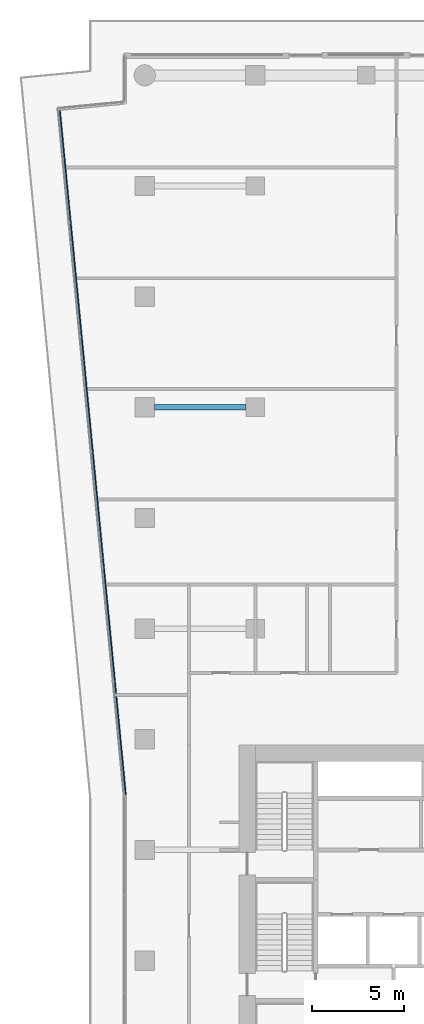
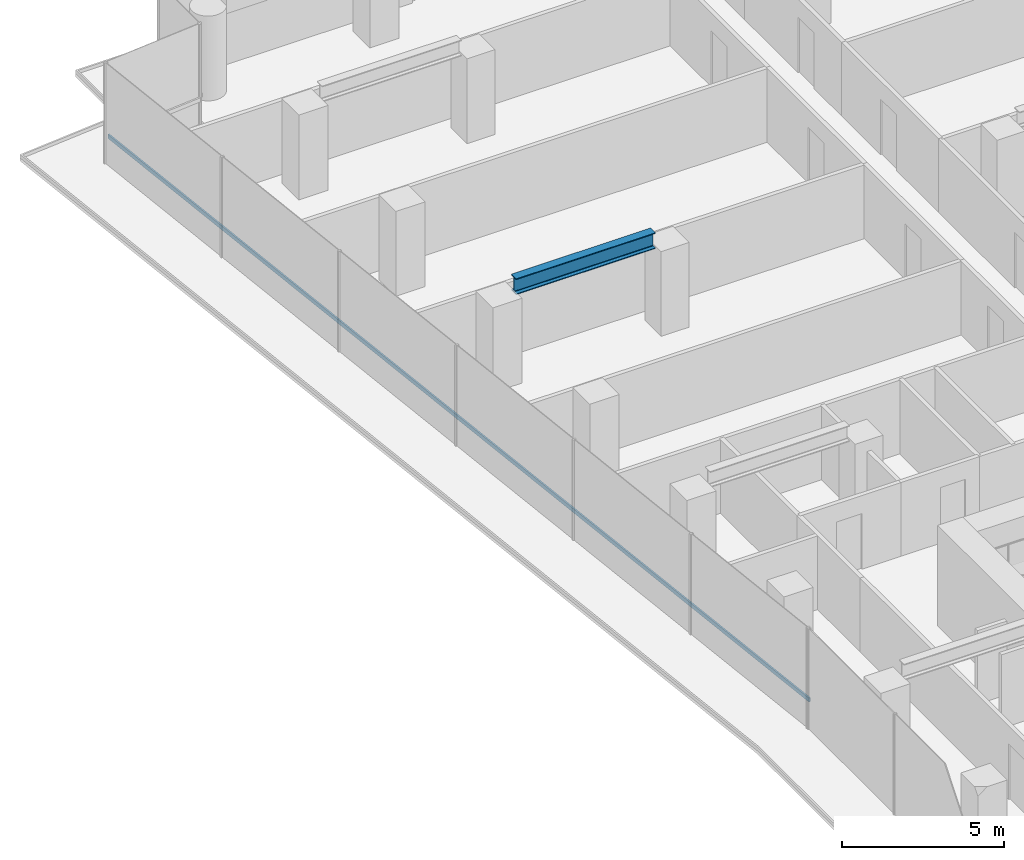
# One storey, part 14 of 30: 1 beam, 1 member, 1 element without a shape of its own.
"""IFC4 building model written with IfcOpenShell, lengths in metres."""

from ifc_helpers import new_model, si_unit, direction, frame, origin, origin_2d, place, context, subcontext, project, spatial, rectangle, i_section, extrude, material, layer, layer_set, material_profile, profile_set, type_object, element, aggregate, save


model = new_model("IFC4")

# Units and contexts
model_context = context("Model", 3, precision=1e-05, world=origin(), true_north=direction((0.0, 1.0)))
body_context = subcontext(model_context, "Body", "Model", "MODEL_VIEW")
ifc_project = project(units=[si_unit("LENGTHUNIT", "METRE"), si_unit("AREAUNIT", "SQUARE_METRE"), si_unit("VOLUMEUNIT", "CUBIC_METRE"), si_unit("PLANEANGLEUNIT", "RADIAN"), si_unit("MASSUNIT", "GRAM", prefix="KILO")], contexts=[model_context])

# Site, building, storey
site_placement = place(None, origin())
site = spatial("IfcSite", under=ifc_project, at=site_placement, CompositionType="ELEMENT")
building_placement = place(site_placement, origin())
building = spatial("IfcBuilding", under=site, at=building_placement, Name="Welwitschia Terrace Campus", CompositionType="ELEMENT")
storey_placement = place(building_placement, frame((0.0, 0.0, 75.199951171875)))
storey = spatial("IfcBuildingStorey", under=building, at=storey_placement, Name="L17", CompositionType="ELEMENT", Elevation=75.199951171875)

# Beam
ifc_material_1 = material(Name="Steel S355", Category="steel")
ifc_material_profile_1 = material_profile(ifc_material_1, i_section(OverallWidth=0.300048828125, OverallDepth=0.60009765625, WebThickness=0.015380859375, FlangeThickness=0.030029296875, FilletRadius=0.027099609375, at=origin_2d()))
ifc_profile_set_1 = profile_set([ifc_material_profile_1], Name="Steel S355")
beam_type = type_object("IfcBeamType", Name="Primary beam HE 600 B", PredefinedType="BEAM", material=ifc_profile_set_1)
beam_placement = place(storey_placement, frame((0.525390625, 44.0, 3.400146484375), z_axis=(1.0, 0.0, 0.0), x_axis=(0.0, 1.0, 0.0)))
element("IfcBeam", 1, at=beam_placement, inside=storey, type_object=beam_type, Name="Primary beam PB2", PredefinedType="BEAM", context=body_context, shape_type="SweptSolid", body=[
    extrude(i_section(OverallWidth=0.300048828125, OverallDepth=0.60009765625, WebThickness=0.015380859375, FlangeThickness=0.030029296875, FilletRadius=0.027099609375, at=origin_2d()), origin(), (0.0, 0.0, 1.0), 4.97412109375),
])

# Curtain wall, member
ifc_material_2 = material(Name="Bronze anodised aluminium", Category="aluminium")
ifc_layer = layer(ifc_material_2, 0.1201171875)
ifc_layer_set = layer_set([ifc_layer], Name="Bronze anodised aluminium")
curtain_wall_type = type_object("IfcCurtainWallType", Name="Curtain wall CW2 tower 6000", PredefinedType="NOTDEFINED", material=ifc_layer_set)
curtain_wall_placement = place(storey_placement, origin())
curtain_wall = element("IfcCurtainWall", 2, at=curtain_wall_placement, inside=storey, type_object=curtain_wall_type, Name="CW L17.16.0", PredefinedType="NOTDEFINED")
ifc_material_3 = material(Name="Bronze anodised aluminium", Category="aluminium")
ifc_material_profile_2 = material_profile(ifc_material_3, rectangle(XDim=0.06005859375, YDim=0.14990234375, at=origin_2d()))
ifc_profile_set_2 = profile_set([ifc_material_profile_2], Name="Bronze anodised aluminium")
member_type = type_object("IfcMemberType", Name="Transom 60x150", PredefinedType="USERDEFINED", material=ifc_profile_set_2)
member_placement = place(storey_placement, frame((-4.609619140625, 60.163818359375, 1.0), z_axis=(0.095844072662, -0.995396360118, 0.0), x_axis=(0.995396360118, 0.095844072662, 0.0)))
member = element("IfcMember", 3, at=member_placement, type_object=member_type, Name="Transom L17.16.0", ObjectType="TRANSOM", PredefinedType="USERDEFINED", context=body_context, shape_type="SweptSolid", body=[
    extrude(rectangle(XDim=0.06005859375, YDim=0.14990234375, at=origin_2d()), origin(), (0.0, 0.0, 1.0), 37.345458984375),
])
aggregate(curtain_wall, [member])

save(model, "model.ifc")
